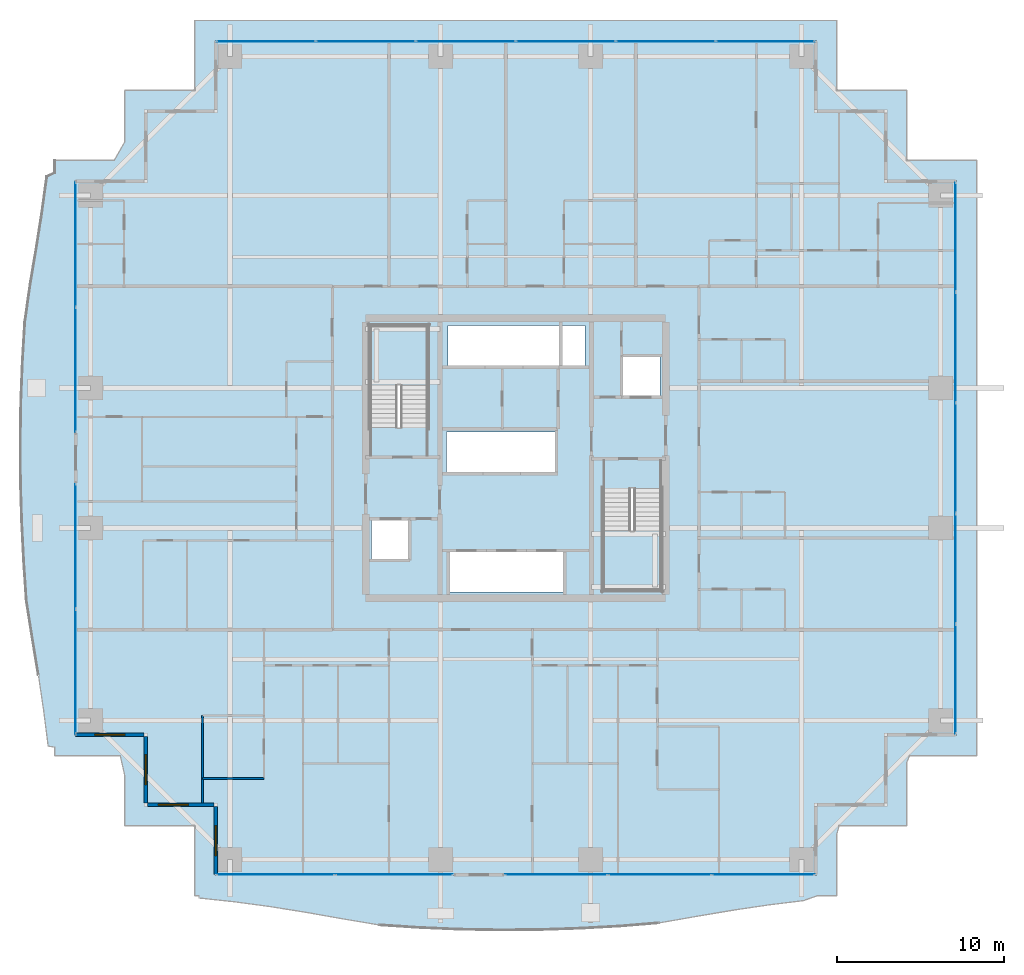
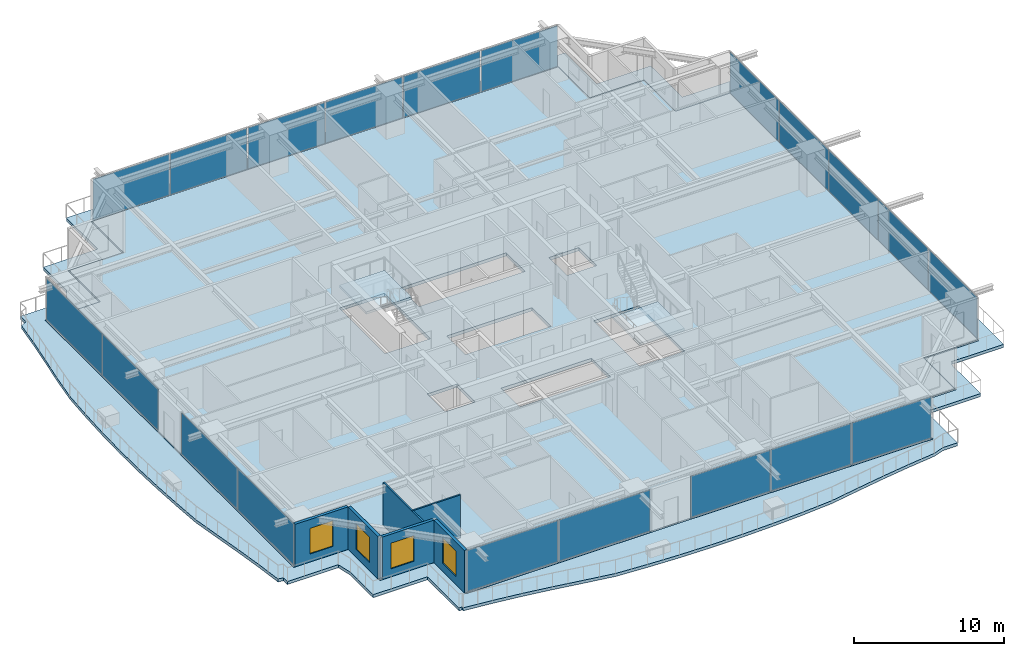
# One storey, part 26 of 40: 20 plates, 6 walls, 4 slabs, 4 windows, 4 openings, 8 elements without a shape of their own.
"""IFC4 building model written with IfcOpenShell, lengths in metres."""

from ifc_helpers import new_model, si_unit, direction, frame, frame_2d, origin, origin_2d, place, context, subcontext, project, spatial, polyline, rectangle, outline, extrude, source, transform, mapped, material, layer, layer_set, type_object, element, fill, aggregate, save


model = new_model("IFC4")

# Units and contexts
model_context = context("Model", 3, precision=1e-05, world=origin(), true_north=direction((0.0, 1.0)))
body_context = subcontext(model_context, "Body", "Model", "MODEL_VIEW")
ifc_project = project(units=[si_unit("LENGTHUNIT", "METRE"), si_unit("AREAUNIT", "SQUARE_METRE"), si_unit("VOLUMEUNIT", "CUBIC_METRE"), si_unit("PLANEANGLEUNIT", "RADIAN"), si_unit("MASSUNIT", "GRAM", prefix="KILO")], contexts=[model_context])

# Site, building, storey
site_placement = place(None, origin())
site = spatial("IfcSite", under=ifc_project, at=site_placement, CompositionType="ELEMENT")
building_placement = place(site_placement, origin())
building = spatial("IfcBuilding", under=site, at=building_placement, Name="Serunith Strait Residences", CompositionType="ELEMENT")
storey_placement = place(building_placement, frame((0.0, 0.0, 90.449951171875)))
storey = spatial("IfcBuildingStorey", under=building, at=storey_placement, Name="L22", CompositionType="ELEMENT", Elevation=90.449951171875)

# Slab
ifc_material_1 = material(Name="Concrete C50/60", Category="concrete")
ifc_layer_1 = layer(ifc_material_1, 0.239990234375, Name="Concrete C50/60")
ifc_layer_set_1 = layer_set([ifc_layer_1], Name="Concrete C50/60")
slab_type_1 = type_object("IfcSlabType", Name="SLB-BALC-240", PredefinedType="FLOOR", material=ifc_layer_set_1)
slab_1_placement = place(storey_placement, frame((0.0, 0.0, -0.2900390625)))
element("IfcSlab", 1, at=slab_1_placement, inside=storey, type_object=slab_type_1, Name="L22 Planted Vertical-Forest Balcony Slab", PredefinedType="FLOOR", context=body_context, shape_type="SweptSolid", body=[
    extrude(outline(polyline([(13.139892578125, 3.139892578125), (8.93994140625, 3.139892578125), (8.93994140625, 6.167724609375), (8.674072265625, 7.340087890625), (4.739990234375, 7.340087890625), (4.739990234375, 7.851318359375), (4.347412109375, 7.9150390625), (4.077880859375, 10.046630859375), (3.759521484375, 12.19970703125), (3.401611328125, 14.3896484375), (3.0439453125, 16.6376953125), (2.88818359375, 18.986572265625), (2.768310546875, 21.364990234375), (2.69482421875, 23.765380859375), (2.679931640625, 26.17578125), (2.714599609375, 28.582763671875), (2.80810546875, 30.97265625), (2.94775390625, 33.334716796875), (3.26806640625, 35.609619140625), (3.640380859375, 37.8095703125), (3.9794921875, 39.966552734375), (4.269775390625, 42.09765625), (4.739990234375, 42.31201171875), (4.739990234375, 43.06005859375), (8.306884765625, 43.06005859375), (8.93994140625, 44.162109375), (8.93994140625, 47.260009765625), (13.139892578125, 47.260009765625), (13.139892578125, 51.4599609375), (51.659912109375, 51.4599609375), (51.659912109375, 47.260009765625), (55.860107421875, 47.260009765625), (55.860107421875, 43.06005859375), (60.06005859375, 43.06005859375), (60.06005859375, 7.340087890625), (56.041259765625, 7.340087890625), (55.860107421875, 6.9423828125), (55.860107421875, 3.139892578125), (51.80322265625, 3.139892578125), (51.659912109375, 2.60302734375), (51.659912109375, -1.06005859375), (50.50439453125, -1.06005859375), (49.677490234375, -1.353515625), (47.551513671875, -1.61669921875), (45.406982421875, -1.935791015625), (43.227294921875, -2.3037109375), (40.992431640625, -2.697509765625), (38.6455078125, -2.89111328125), (36.257080078125, -3.022705078125), (33.843505859375, -3.103515625), (31.418212890625, -3.1201171875), (31.418212890625, -3.1201171875), (28.9970703125, -3.079833984375), (26.595703125, -2.9755859375), (24.22705078125, -2.8212890625), (21.97119140625, -2.438232421875), (19.781982421875, -2.052490234375), (17.635009765625, -1.71044921875), (15.5107421875, -1.425048828125), (13.39453125, -1.196533203125), (13.395751953125, -1.06005859375), (13.139892578125, -1.06005859375), (13.139892578125, 3.139892578125)]), holes=[polyline([(50.455078125, 0.14501953125), (50.455078125, 4.344970703125), (54.655029296875, 4.344970703125), (54.655029296875, 8.544921875), (58.85498046875, 8.544921875), (58.85498046875, 41.85498046875), (54.655029296875, 41.85498046875), (54.655029296875, 46.054931640625), (50.455078125, 46.054931640625), (50.455078125, 50.2548828125), (14.344970703125, 50.2548828125), (14.344970703125, 46.054931640625), (10.14501953125, 46.054931640625), (10.14501953125, 41.85498046875), (5.945068359375, 41.85498046875), (5.945068359375, 8.544921875), (10.14501953125, 8.544921875), (10.14501953125, 4.344970703125), (14.344970703125, 4.344970703125), (14.344970703125, 0.14501953125), (50.455078125, 0.14501953125)])]), origin(), (0.0, 0.0, 1.0), 0.239990234375),
])

# Stair, slab
stair_type_1 = type_object("IfcStairType", Name="STR-CORE-1", PredefinedType="HALF_TURN_STAIR", material=ifc_material_1)
stair_1_placement = place(storey_placement, origin())
stair_1 = element("IfcStair", 2, at=stair_1_placement, inside=storey, type_object=stair_type_1, Name="L22 Protected Escape Stair ST-1", PredefinedType="HALF_TURN_STAIR")
ifc_layer_2 = layer(ifc_material_1, 0.199951171875, Name="Concrete C50/60")
ifc_layer_set_2 = layer_set([ifc_layer_2], Name="Concrete C50/60")
slab_type_2 = type_object("IfcSlabType", Name="SLB-LAND-200", PredefinedType="LANDING", material=ifc_layer_set_2)
slab_2_placement = place(storey_placement, frame((0.0, 0.0, 1.675048828125)))
slab_2 = element("IfcSlab", 3, at=slab_2_placement, type_object=slab_type_2, Name="ST-1 landing 1", PredefinedType="LANDING", context=body_context, shape_type="SweptSolid", body=[
    extrude(outline(polyline([(27.14990234375, 29.550048828125), (27.14990234375, 33.14990234375), (23.64990234375, 33.14990234375), (23.64990234375, 29.550048828125), (27.14990234375, 29.550048828125)])), origin(), (0.0, 0.0, 1.0), 0.199951171875),
])
aggregate(stair_1, [slab_2])

stair_type_2 = type_object("IfcStairType", Name="STR-CORE-2", PredefinedType="HALF_TURN_STAIR", material=ifc_material_1)
stair_2_placement = place(storey_placement, origin())
stair_2 = element("IfcStair", 4, at=stair_2_placement, inside=storey, type_object=stair_type_2, Name="L22 Protected Escape Stair ST-2", PredefinedType="HALF_TURN_STAIR")
slab_3_placement = place(storey_placement, frame((0.0, 0.0, 1.675048828125)))
slab_3 = element("IfcSlab", 5, at=slab_3_placement, type_object=slab_type_2, Name="ST-2 landing 1", PredefinedType="LANDING", context=body_context, shape_type="SweptSolid", body=[
    extrude(outline(polyline([(37.64990234375, 20.85009765625), (37.64990234375, 17.25), (41.14990234375, 17.25), (41.14990234375, 20.85009765625), (37.64990234375, 20.85009765625)])), origin(), (0.0, 0.0, 1.0), 0.199951171875),
])
aggregate(stair_2, [slab_3])

# Slab
ifc_material_2 = material(Name="Concrete C60/75", Category="concrete")
ifc_layer_3 = layer(ifc_material_2, 0.260009765625, Name="Concrete C60/75")
ifc_layer_set_3 = layer_set([ifc_layer_3], Name="Concrete C60/75")
slab_type_3 = type_object("IfcSlabType", Name="SLB-TWR-260-Z1", PredefinedType="FLOOR", material=ifc_layer_set_3)
slab_4_placement = place(storey_placement, frame((0.0, 0.0, -0.260009765625)))
element("IfcSlab", 6, at=slab_4_placement, inside=storey, type_object=slab_type_3, Name="L22 Structural Floor Plate", PredefinedType="FLOOR", context=body_context, shape_type="SweptSolid", body=[
    extrude(outline(polyline([(14.39990234375, 4.39990234375), (10.199951171875, 4.39990234375), (10.199951171875, 8.60009765625), (6.0, 8.60009765625), (6.0, 41.800048828125), (10.199951171875, 41.800048828125), (10.199951171875, 46.0), (14.39990234375, 46.0), (14.39990234375, 50.199951171875), (50.39990234375, 50.199951171875), (50.39990234375, 46.0), (54.60009765625, 46.0), (54.60009765625, 41.800048828125), (58.800048828125, 41.800048828125), (58.800048828125, 8.60009765625), (54.60009765625, 8.60009765625), (54.60009765625, 4.39990234375), (50.39990234375, 4.39990234375), (50.39990234375, 0.199951171875), (14.39990234375, 0.199951171875), (14.39990234375, 4.39990234375)]), holes=[polyline([(41.14990234375, 17.25), (41.14990234375, 23.3701171875), (37.64990234375, 23.3701171875), (37.64990234375, 17.25), (41.14990234375, 17.25)]), polyline([(41.050048828125, 31.25), (38.75, 31.25), (38.75, 28.85009765625), (41.050048828125, 28.85009765625), (41.050048828125, 31.25)]), polyline([(36.550048828125, 33.14990234375), (28.35009765625, 33.14990234375), (28.35009765625, 30.64990234375), (36.550048828125, 30.64990234375), (36.550048828125, 33.14990234375)]), polyline([(28.35009765625, 19.64990234375), (28.35009765625, 17.14990234375), (35.35009765625, 17.14990234375), (35.35009765625, 19.64990234375), (28.35009765625, 19.64990234375)]), polyline([(34.85009765625, 26.75), (28.25, 26.75), (28.25, 24.25), (34.85009765625, 24.25), (34.85009765625, 26.75)]), polyline([(23.64990234375, 33.14990234375), (23.64990234375, 27.030029296875), (27.14990234375, 27.030029296875), (27.14990234375, 33.14990234375), (23.64990234375, 33.14990234375)]), polyline([(26.050048828125, 21.550048828125), (23.75, 21.550048828125), (23.75, 19.14990234375), (26.050048828125, 19.14990234375), (26.050048828125, 21.550048828125)])]), origin(), (0.0, 0.0, 1.0), 0.260009765625),
])

# Curtain wall, plates
ifc_material_3 = material(Name="Pale-Champagne Anodised Aluminium", Category="aluminium")
ifc_layer_4 = layer(ifc_material_3, 0.199951171875, Name="Pale-Champagne Anodised Aluminium")
ifc_layer_set_4 = layer_set([ifc_layer_4], Name="Pale-Champagne Anodised Aluminium")
curtain_wall_type = type_object("IfcCurtainWallType", Name="CW-SYS1", PredefinedType="NOTDEFINED", material=ifc_layer_set_4)
curtain_wall_1_placement = place(storey_placement, origin())
curtain_wall_1 = element("IfcCurtainWall", 7, at=curtain_wall_1_placement, inside=storey, type_object=curtain_wall_type, Name="L22 N Unitised Fritted Curtain Wall", PredefinedType="NOTDEFINED")
ifc_material_4 = material(Name="Ceramic-Fritted Low-E Double Glazing 28mm", Category="glass")
ifc_layer_5 = layer(ifc_material_4, 0.028076171875, Name="Ceramic-Fritted Low-E Double Glazing 28mm")
ifc_layer_set_5 = layer_set([ifc_layer_5], Name="Ceramic-Fritted Low-E Double Glazing 28mm")
plate_type = type_object("IfcPlateType", Name="CW-SYS1-PNL", PredefinedType="CURTAIN_PANEL", material=ifc_layer_set_5)
shared_shape_1 = source(origin(), body_context, "Body", "SweptSolid", [
    extrude(rectangle(XDim=5.89501953125, YDim=0.028076171875, at=origin_2d()), origin(), (0.0, 0.0, 1.0), 3.35498046875),
])
plate_1_placement = place(storey_placement, frame((47.382568359375, 50.199951171875, 0.06005859375), z_axis=(0.0, 0.0, 1.0), x_axis=(-1.0, 0.0, 0.0)))
plate_1 = element("IfcPlate", 8, at=plate_1_placement, type_object=plate_type, Name="CW-1 panel 1.1", PredefinedType="CURTAIN_PANEL", context=body_context, shape_type="MappedRepresentation", body=[
    mapped(shared_shape_1, transform((0.0, 0.0, 0.0), scale=1.0)),
])
plate_2_placement = place(storey_placement, frame((17.41748046875, 50.199951171875, 0.06005859375), z_axis=(0.0, 0.0, 1.0), x_axis=(-1.0, 0.0, 0.0)))
plate_2 = element("IfcPlate", 9, at=plate_2_placement, type_object=plate_type, Name="CW-1 panel 6.1", PredefinedType="CURTAIN_PANEL", context=body_context, shape_type="MappedRepresentation", body=[
    mapped(shared_shape_1, transform((0.0, 0.0, 0.0), scale=1.0)),
])
shared_shape_2 = source(origin(), body_context, "Body", "SweptSolid", [
    extrude(rectangle(XDim=5.929931640625, YDim=0.028076171875, at=origin_2d()), origin(), (0.0, 0.0, 1.0), 3.35498046875),
])
plate_3_placement = place(storey_placement, frame((41.39990234375, 50.199951171875, 0.06005859375), z_axis=(0.0, 0.0, 1.0), x_axis=(-1.0, 0.0, 0.0)))
plate_3 = element("IfcPlate", 10, at=plate_3_placement, type_object=plate_type, Name="CW-1 panel 2.1", PredefinedType="CURTAIN_PANEL", context=body_context, shape_type="MappedRepresentation", body=[
    mapped(shared_shape_2, transform((0.0, 0.0, 0.0), scale=1.0)),
])
plate_4_placement = place(storey_placement, frame((35.39990234375, 50.199951171875, 0.06005859375), z_axis=(0.0, 0.0, 1.0), x_axis=(-1.0, 0.0, 0.0)))
plate_4 = element("IfcPlate", 11, at=plate_4_placement, type_object=plate_type, Name="CW-1 panel 3.1", PredefinedType="CURTAIN_PANEL", context=body_context, shape_type="MappedRepresentation", body=[
    mapped(shared_shape_2, transform((0.0, 0.0, 0.0), scale=1.0)),
])
plate_5_placement = place(storey_placement, frame((29.39990234375, 50.199951171875, 0.06005859375), z_axis=(0.0, 0.0, 1.0), x_axis=(-1.0, 0.0, 0.0)))
plate_5 = element("IfcPlate", 12, at=plate_5_placement, type_object=plate_type, Name="CW-1 panel 4.1", PredefinedType="CURTAIN_PANEL", context=body_context, shape_type="MappedRepresentation", body=[
    mapped(shared_shape_2, transform((0.0, 0.0, 0.0), scale=1.0)),
])
plate_6_placement = place(storey_placement, frame((23.39990234375, 50.199951171875, 0.06005859375), z_axis=(0.0, 0.0, 1.0), x_axis=(-1.0, 0.0, 0.0)))
plate_6 = element("IfcPlate", 13, at=plate_6_placement, type_object=plate_type, Name="CW-1 panel 5.1", PredefinedType="CURTAIN_PANEL", context=body_context, shape_type="MappedRepresentation", body=[
    mapped(shared_shape_2, transform((0.0, 0.0, 0.0), scale=1.0)),
])
aggregate(curtain_wall_1, [plate_1, plate_3, plate_4, plate_5, plate_6, plate_2])

curtain_wall_2_placement = place(storey_placement, origin())
curtain_wall_2 = element("IfcCurtainWall", 14, at=curtain_wall_2_placement, inside=storey, type_object=curtain_wall_type, Name="L22 W Unitised Fritted Curtain Wall", PredefinedType="NOTDEFINED")
shared_shape_3 = source(origin(), body_context, "Body", "SweptSolid", [
    extrude(rectangle(XDim=7.445068359375, YDim=0.028076171875, at=origin_2d()), origin(), (0.0, 0.0, 1.0), 3.35498046875),
])
plate_7_placement = place(storey_placement, frame((6.0, 38.007568359375, 0.06005859375), z_axis=(0.0, 0.0, 1.0), x_axis=(0.0, -1.0, 0.0)))
plate_7 = element("IfcPlate", 15, at=plate_7_placement, type_object=plate_type, Name="CW-1 panel 1.1", PredefinedType="CURTAIN_PANEL", context=body_context, shape_type="MappedRepresentation", body=[
    mapped(shared_shape_3, transform((0.0, 0.0, 0.0), scale=1.0)),
])
plate_8_placement = place(storey_placement, frame((6.0, 30.492431640625, 0.06005859375), z_axis=(0.0, 0.0, 1.0), x_axis=(0.0, -1.0, 0.0)))
plate_8 = element("IfcPlate", 16, at=plate_8_placement, type_object=plate_type, Name="CW-1 panel 2.1", PredefinedType="CURTAIN_PANEL", context=body_context, shape_type="MappedRepresentation", body=[
    mapped(shared_shape_3, transform((0.0, 0.0, 0.0), scale=1.0)),
])
aggregate(curtain_wall_2, [plate_7, plate_8])

curtain_wall_3_placement = place(storey_placement, origin())
curtain_wall_3 = element("IfcCurtainWall", 17, at=curtain_wall_3_placement, inside=storey, type_object=curtain_wall_type, Name="L22 W Unitised Fritted Curtain Wall", PredefinedType="NOTDEFINED")
plate_9_placement = place(storey_placement, frame((6.0, 19.907470703125, 0.06005859375), z_axis=(0.0, 0.0, 1.0), x_axis=(0.0, -1.0, 0.0)))
plate_9 = element("IfcPlate", 18, at=plate_9_placement, type_object=plate_type, Name="CW-1 panel 1.1", PredefinedType="CURTAIN_PANEL", context=body_context, shape_type="MappedRepresentation", body=[
    mapped(shared_shape_3, transform((0.0, 0.0, 0.0), scale=1.0)),
])
plate_10_placement = place(storey_placement, frame((6.0, 12.392578125, 0.06005859375), z_axis=(0.0, 0.0, 1.0), x_axis=(0.0, -1.0, 0.0)))
plate_10 = element("IfcPlate", 19, at=plate_10_placement, type_object=plate_type, Name="CW-1 panel 2.1", PredefinedType="CURTAIN_PANEL", context=body_context, shape_type="MappedRepresentation", body=[
    mapped(shared_shape_3, transform((0.0, 0.0, 0.0), scale=1.0)),
])
aggregate(curtain_wall_3, [plate_9, plate_10])

curtain_wall_4_placement = place(storey_placement, origin())
curtain_wall_4 = element("IfcCurtainWall", 20, at=curtain_wall_4_placement, inside=storey, type_object=curtain_wall_type, Name="L22 E Unitised Fritted Curtain Wall", PredefinedType="NOTDEFINED")
shared_shape_4 = source(origin(), body_context, "Body", "SweptSolid", [
    extrude(rectangle(XDim=6.534912109375, YDim=0.028076171875, at=origin_2d()), origin(), (0.0, 0.0, 1.0), 3.35498046875),
])
plate_11_placement = place(storey_placement, frame((58.800048828125, 11.9375, 0.06005859375), z_axis=(0.0, 0.0, 1.0), x_axis=(0.0, 1.0, 0.0)))
plate_11 = element("IfcPlate", 21, at=plate_11_placement, type_object=plate_type, Name="CW-1 panel 1.1", PredefinedType="CURTAIN_PANEL", context=body_context, shape_type="MappedRepresentation", body=[
    mapped(shared_shape_4, transform((0.0, 0.0, 0.0), scale=1.0)),
])
plate_12_placement = place(storey_placement, frame((58.800048828125, 38.46240234375, 0.06005859375), z_axis=(0.0, 0.0, 1.0), x_axis=(0.0, 1.0, 0.0)))
plate_12 = element("IfcPlate", 22, at=plate_12_placement, type_object=plate_type, Name="CW-1 panel 5.1", PredefinedType="CURTAIN_PANEL", context=body_context, shape_type="MappedRepresentation", body=[
    mapped(shared_shape_4, transform((0.0, 0.0, 0.0), scale=1.0)),
])
shared_shape_5 = source(origin(), body_context, "Body", "SweptSolid", [
    extrude(rectangle(XDim=6.570068359375, YDim=0.028076171875, at=origin_2d()), origin(), (0.0, 0.0, 1.0), 3.35498046875),
])
plate_13_placement = place(storey_placement, frame((58.800048828125, 18.56005859375, 0.06005859375), z_axis=(0.0, 0.0, 1.0), x_axis=(0.0, 1.0, 0.0)))
plate_13 = element("IfcPlate", 23, at=plate_13_placement, type_object=plate_type, Name="CW-1 panel 2.1", PredefinedType="CURTAIN_PANEL", context=body_context, shape_type="MappedRepresentation", body=[
    mapped(shared_shape_5, transform((0.0, 0.0, 0.0), scale=1.0)),
])
plate_14_placement = place(storey_placement, frame((58.800048828125, 25.199951171875, 0.06005859375), z_axis=(0.0, 0.0, 1.0), x_axis=(0.0, 1.0, 0.0)))
plate_14 = element("IfcPlate", 24, at=plate_14_placement, type_object=plate_type, Name="CW-1 panel 3.1", PredefinedType="CURTAIN_PANEL", context=body_context, shape_type="MappedRepresentation", body=[
    mapped(shared_shape_5, transform((0.0, 0.0, 0.0), scale=1.0)),
])
plate_15_placement = place(storey_placement, frame((58.800048828125, 31.840087890625, 0.06005859375), z_axis=(0.0, 0.0, 1.0), x_axis=(0.0, 1.0, 0.0)))
plate_15 = element("IfcPlate", 25, at=plate_15_placement, type_object=plate_type, Name="CW-1 panel 4.1", PredefinedType="CURTAIN_PANEL", context=body_context, shape_type="MappedRepresentation", body=[
    mapped(shared_shape_5, transform((0.0, 0.0, 0.0), scale=1.0)),
])
aggregate(curtain_wall_4, [plate_11, plate_13, plate_14, plate_15, plate_12])

curtain_wall_5_placement = place(storey_placement, origin())
curtain_wall_5 = element("IfcCurtainWall", 26, at=curtain_wall_5_placement, inside=storey, type_object=curtain_wall_type, Name="L22 S Unitised Fritted Curtain Wall", PredefinedType="NOTDEFINED")
shared_shape_6 = source(origin(), body_context, "Body", "SweptSolid", [
    extrude(rectangle(XDim=7.044921875, YDim=0.028076171875, at=origin_2d()), origin(), (0.0, 0.0, 1.0), 3.35498046875),
])
plate_16_placement = place(storey_placement, frame((17.992431640625, 0.199951171875, 0.06005859375), z_axis=(0.0, 0.0, 1.0), x_axis=(1.0, 0.0, 0.0)))
plate_16 = element("IfcPlate", 27, at=plate_16_placement, type_object=plate_type, Name="CW-1 panel 1.1", PredefinedType="CURTAIN_PANEL", context=body_context, shape_type="MappedRepresentation", body=[
    mapped(shared_shape_6, transform((0.0, 0.0, 0.0), scale=1.0)),
])
plate_17_placement = place(storey_placement, frame((25.107421875, 0.199951171875, 0.06005859375), z_axis=(0.0, 0.0, 1.0), x_axis=(1.0, 0.0, 0.0)))
plate_17 = element("IfcPlate", 28, at=plate_17_placement, type_object=plate_type, Name="CW-1 panel 2.1", PredefinedType="CURTAIN_PANEL", context=body_context, shape_type="MappedRepresentation", body=[
    mapped(shared_shape_6, transform((0.0, 0.0, 0.0), scale=1.0)),
])
aggregate(curtain_wall_5, [plate_16, plate_17])

curtain_wall_6_placement = place(storey_placement, origin())
curtain_wall_6 = element("IfcCurtainWall", 29, at=curtain_wall_6_placement, inside=storey, type_object=curtain_wall_type, Name="L22 S Unitised Fritted Curtain Wall", PredefinedType="NOTDEFINED")
shared_shape_7 = source(origin(), body_context, "Body", "SweptSolid", [
    extrude(rectangle(XDim=6.12841796875, YDim=0.028076171875, at=origin_2d()), origin(), (0.0, 0.0, 1.0), 3.35498046875),
])
plate_18_placement = place(storey_placement, frame((34.834228515625, 0.199951171875, 0.06005859375), z_axis=(0.0, 0.0, 1.0), x_axis=(1.0, 0.0, 0.0)))
plate_18 = element("IfcPlate", 30, at=plate_18_placement, type_object=plate_type, Name="CW-1 panel 1.1", PredefinedType="CURTAIN_PANEL", context=body_context, shape_type="MappedRepresentation", body=[
    mapped(shared_shape_7, transform((0.0, 0.0, 0.0), scale=1.0)),
])
plate_19_placement = place(storey_placement, frame((47.265869140625, 0.199951171875, 0.06005859375), z_axis=(0.0, 0.0, 1.0), x_axis=(1.0, 0.0, 0.0)))
plate_19 = element("IfcPlate", 31, at=plate_19_placement, type_object=plate_type, Name="CW-1 panel 3.1", PredefinedType="CURTAIN_PANEL", context=body_context, shape_type="MappedRepresentation", body=[
    mapped(shared_shape_7, transform((0.0, 0.0, 0.0), scale=1.0)),
])
shared_shape_8 = source(origin(), body_context, "Body", "SweptSolid", [
    extrude(rectangle(XDim=6.163330078125, YDim=0.028076171875, at=origin_2d()), origin(), (0.0, 0.0, 1.0), 3.35498046875),
])
plate_20_placement = place(storey_placement, frame((41.050048828125, 0.199951171875, 0.06005859375), z_axis=(0.0, 0.0, 1.0), x_axis=(1.0, 0.0, 0.0)))
plate_20 = element("IfcPlate", 32, at=plate_20_placement, type_object=plate_type, Name="CW-1 panel 2.1", PredefinedType="CURTAIN_PANEL", context=body_context, shape_type="MappedRepresentation", body=[
    mapped(shared_shape_8, transform((0.0, 0.0, 0.0), scale=1.0)),
])
aggregate(curtain_wall_6, [plate_18, plate_20, plate_19])

# Wall, opening, window
ifc_material_5 = material(Name="Pale-Champagne Aluminium Insulated Panel", Category="aluminium")
ifc_layer_6 = layer(ifc_material_5, 0.219970703125, Name="Pale-Champagne Aluminium Insulated Panel")
ifc_layer_set_6 = layer_set([ifc_layer_6], Name="Pale-Champagne Aluminium Insulated Panel")
wall_type_1 = type_object("IfcWallType", Name="EW-ALUM-220", PredefinedType="ELEMENTEDWALL", material=ifc_layer_set_6)
wall_1_placement = place(storey_placement, frame((6.0, 8.60009765625, 0.0), z_axis=(0.0, 0.0, 1.0), x_axis=(1.0, 0.0, 0.0)))
wall_1 = element("IfcWall", 33, at=wall_1_placement, inside=storey, type_object=wall_type_1, Name="L22 Girih Serrated Corner Wall 17", PredefinedType="ELEMENTEDWALL", context=body_context, shape_type="SweptSolid", body=[
    extrude(rectangle(XDim=4.090087890625, YDim=0.219970703125, at=frame_2d((2.044921875, 0.0))), origin(), (0.0, 0.0, 1.0), 3.47509765625),
])
opening_1_placement = place(wall_1_placement, frame((1.14501953125, 0.0, 0.64990234375)))
opening_1 = element("IfcOpeningElement", 34, at=opening_1_placement, cuts=wall_1, Name="Opening W-01", PredefinedType="OPENING", context=body_context, shape_type="SweptSolid", body=[
    extrude(rectangle(XDim=1.800048828125, YDim=2.10009765625, at=frame_2d((0.89990234375, 1.050048828125))), frame((0.0, 0.1201171875, 0.0), z_axis=(0.0, -1.0, 0.0), x_axis=(1.0, 0.0, 0.0)), (0.0, 0.0, 1.0), 0.239990234375),
])
ifc_material_6 = material(Name="Ceramic-Fritted Operable Aluminium Window Glass", Category="aluminium")
window_type = type_object("IfcWindowType", Name="WIN-C1", PartitioningType="DOUBLE_PANEL_VERTICAL", PredefinedType="WINDOW", material=ifc_material_6)
shared_shape_9 = source(origin(), body_context, "Body", "SweptSolid", [
    extrude(rectangle(XDim=1.800048828125, YDim=2.10009765625, at=frame_2d((0.89990234375, 1.050048828125))), frame((0.0, 0.030029296875, 0.0), z_axis=(0.0, -1.0, 0.0), x_axis=(1.0, 0.0, 0.0)), (0.0, 0.0, 1.0), 0.06005859375),
])
window_1_placement = place(opening_1_placement, origin())
window_1 = element("IfcWindow", 35, at=window_1_placement, inside=storey, type_object=window_type, Name="L22 Corner Operable Fritted Window 17", OverallHeight=2.10009765625, OverallWidth=1.800048828125, PartitioningType="SINGLE_PANEL", PredefinedType="WINDOW", context=body_context, shape_type="MappedRepresentation", body=[
    mapped(shared_shape_9, transform((0.0, 0.0, 0.0), scale=1.0)),
])
fill(opening_1, window_1)

wall_2_placement = place(storey_placement, frame((10.199951171875, 8.489990234375, 0.0), z_axis=(0.0, 0.0, 1.0), x_axis=(0.0, -1.0, 0.0)))
wall_2 = element("IfcWall", 36, at=wall_2_placement, inside=storey, type_object=wall_type_1, Name="L22 Girih Serrated Corner Wall 18", PredefinedType="ELEMENTEDWALL", context=body_context, shape_type="SweptSolid", body=[
    extrude(rectangle(XDim=3.97998046875, YDim=0.219970703125, at=frame_2d((1.989990234375, 0.0))), origin(), (0.0, 0.0, 1.0), 3.47509765625),
])
opening_2_placement = place(wall_2_placement, frame((1.090087890625, 0.0, 0.64990234375)))
opening_2 = element("IfcOpeningElement", 37, at=opening_2_placement, cuts=wall_2, Name="Opening W-01", PredefinedType="OPENING", context=body_context, shape_type="SweptSolid", body=[
    extrude(rectangle(XDim=1.800048828125, YDim=2.10009765625, at=frame_2d((0.89990234375, 1.050048828125))), frame((0.0, 0.1201171875, 0.0), z_axis=(0.0, -1.0, 0.0), x_axis=(1.0, 0.0, 0.0)), (0.0, 0.0, 1.0), 0.239990234375),
])
window_2_placement = place(opening_2_placement, origin())
window_2 = element("IfcWindow", 38, at=window_2_placement, inside=storey, type_object=window_type, Name="L22 Corner Operable Fritted Window 18", OverallHeight=2.10009765625, OverallWidth=1.800048828125, PartitioningType="SINGLE_PANEL", PredefinedType="WINDOW", context=body_context, shape_type="MappedRepresentation", body=[
    mapped(shared_shape_9, transform((0.0, 0.0, 0.0), scale=1.0)),
])
fill(opening_2, window_2)

wall_3_placement = place(storey_placement, frame((10.31005859375, 4.39990234375, 0.0), z_axis=(0.0, 0.0, 1.0), x_axis=(1.0, 0.0, 0.0)))
wall_3 = element("IfcWall", 39, at=wall_3_placement, inside=storey, type_object=wall_type_1, Name="L22 Girih Serrated Corner Wall 19", PredefinedType="ELEMENTEDWALL", context=body_context, shape_type="SweptSolid", body=[
    extrude(rectangle(XDim=3.97998046875, YDim=0.219970703125, at=frame_2d((1.989990234375, 0.0))), origin(), (0.0, 0.0, 1.0), 3.47509765625),
])
opening_3_placement = place(wall_3_placement, frame((0.654052734375, 0.0, 0.64990234375)))
opening_3 = element("IfcOpeningElement", 40, at=opening_3_placement, cuts=wall_3, Name="Opening W-01", PredefinedType="OPENING", context=body_context, shape_type="SweptSolid", body=[
    extrude(rectangle(XDim=1.800048828125, YDim=2.10009765625, at=frame_2d((0.89990234375, 1.050048828125))), frame((0.0, 0.1201171875, 0.0), z_axis=(0.0, -1.0, 0.0), x_axis=(1.0, 0.0, 0.0)), (0.0, 0.0, 1.0), 0.239990234375),
])
window_3_placement = place(opening_3_placement, origin())
window_3 = element("IfcWindow", 41, at=window_3_placement, inside=storey, type_object=window_type, Name="L22 Corner Operable Fritted Window 19", OverallHeight=2.10009765625, OverallWidth=1.800048828125, PartitioningType="SINGLE_PANEL", PredefinedType="WINDOW", context=body_context, shape_type="MappedRepresentation", body=[
    mapped(shared_shape_9, transform((0.0, 0.0, 0.0), scale=1.0)),
])
fill(opening_3, window_3)

wall_4_placement = place(storey_placement, frame((14.39990234375, 4.2900390625, 0.0), z_axis=(0.0, 0.0, 1.0), x_axis=(0.0, -1.0, 0.0)))
wall_4 = element("IfcWall", 42, at=wall_4_placement, inside=storey, type_object=wall_type_1, Name="L22 Girih Serrated Corner Wall 20", PredefinedType="ELEMENTEDWALL", context=body_context, shape_type="SweptSolid", body=[
    extrude(rectangle(XDim=4.090087890625, YDim=0.219970703125, at=frame_2d((2.044921875, 0.0))), origin(), (0.0, 0.0, 1.0), 3.47509765625),
])
opening_4_placement = place(wall_4_placement, frame((1.14501953125, 0.0, 0.64990234375)))
opening_4 = element("IfcOpeningElement", 43, at=opening_4_placement, cuts=wall_4, Name="Opening W-01", PredefinedType="OPENING", context=body_context, shape_type="SweptSolid", body=[
    extrude(rectangle(XDim=1.800048828125, YDim=2.10009765625, at=frame_2d((0.89990234375, 1.050048828125))), frame((0.0, 0.1201171875, 0.0), z_axis=(0.0, -1.0, 0.0), x_axis=(1.0, 0.0, 0.0)), (0.0, 0.0, 1.0), 0.239990234375),
])
window_4_placement = place(opening_4_placement, origin())
window_4 = element("IfcWindow", 44, at=window_4_placement, inside=storey, type_object=window_type, Name="L22 Corner Operable Fritted Window 20", OverallHeight=2.10009765625, OverallWidth=1.800048828125, PartitioningType="SINGLE_PANEL", PredefinedType="WINDOW", context=body_context, shape_type="MappedRepresentation", body=[
    mapped(shared_shape_9, transform((0.0, 0.0, 0.0), scale=1.0)),
])
fill(opening_4, window_4)

# Walls
ifc_material_7 = material(Name="Lightweight steel-stud gypsum partition", Category="steel")
ifc_layer_7 = layer(ifc_material_7, 0.1201171875, Name="Lightweight steel-stud gypsum partition")
ifc_layer_set_7 = layer_set([ifc_layer_7], Name="Lightweight steel-stud gypsum partition")
wall_type_2 = type_object("IfcWallType", Name="IW-PART-120", PredefinedType="PARTITIONING", material=ifc_layer_set_7)
wall_5_placement = place(storey_placement, frame((13.60009765625, 5.97802734375, 0.0), z_axis=(0.0, 0.0, 1.0), x_axis=(1.0, 0.0, 0.0)))
element("IfcWall", 45, at=wall_5_placement, inside=storey, type_object=wall_type_2, Name="L22 Partition Wall 037", PredefinedType="PARTITIONING", context=body_context, shape_type="SweptSolid", body=[
    extrude(rectangle(XDim=3.699951171875, YDim=0.1201171875, at=frame_2d((1.85009765625, 0.0))), origin(), (0.0, 0.0, 1.0), 3.489990234375),
])
wall_6_placement = place(storey_placement, frame((13.60009765625, 4.4951171875, 0.0), z_axis=(0.0, 0.0, 1.0), x_axis=(0.0, 1.0, 0.0)))
element("IfcWall", 46, at=wall_6_placement, inside=storey, type_object=wall_type_2, Name="L22 Partition Wall 038", PredefinedType="PARTITIONING", context=body_context, shape_type="SweptSolid", body=[
    extrude(rectangle(XDim=5.266845703125, YDim=0.1201171875, at=frame_2d((2.63330078125, 0.0))), origin(), (0.0, 0.0, 1.0), 3.489990234375),
])

save(model, "model.ifc")
